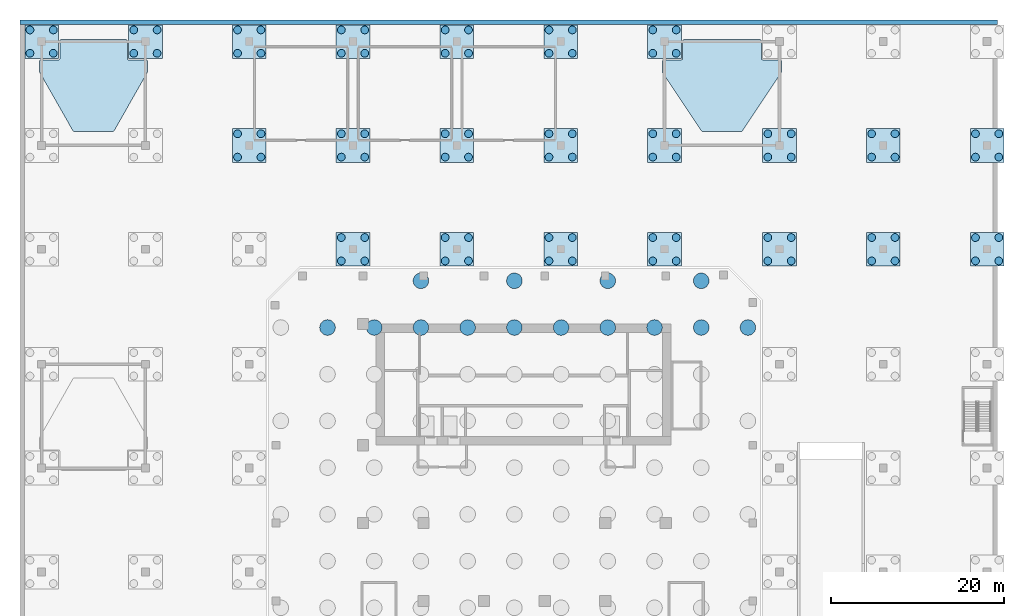
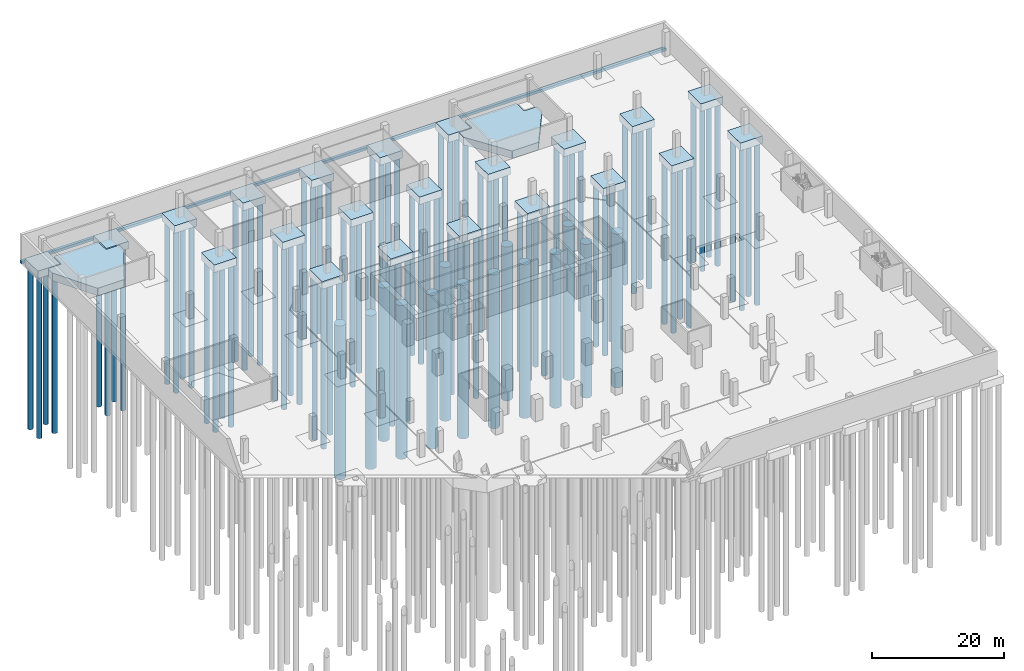
# One storey, part 3 of 15: 102 piles, 25 footings.
"""IFC4 building model written with IfcOpenShell, lengths in metres."""

from ifc_helpers import new_model, si_unit, direction, frame, origin, origin_2d, place, context, subcontext, project, spatial, polyline, rectangle, circle, outline, extrude, source, transform, mapped, material, layer, layer_set, material_profile, profile_set, type_object, element, save


model = new_model("IFC4")

# Units and contexts
model_context = context("Model", 3, precision=1e-05, world=origin(), true_north=direction((0.0, 1.0)))
body_context = subcontext(model_context, "Body", "Model", "MODEL_VIEW")
ifc_project = project(units=[si_unit("LENGTHUNIT", "METRE"), si_unit("AREAUNIT", "SQUARE_METRE"), si_unit("VOLUMEUNIT", "CUBIC_METRE"), si_unit("PLANEANGLEUNIT", "RADIAN"), si_unit("MASSUNIT", "GRAM", prefix="KILO")], contexts=[model_context])

# Site, building, storey
site_placement = place(None, origin())
site = spatial("IfcSite", under=ifc_project, at=site_placement, CompositionType="ELEMENT")
building_placement = place(site_placement, origin())
building = spatial("IfcBuilding", under=site, at=building_placement, Name="Kilnfold Tower and Market Hall", CompositionType="ELEMENT")
storey_placement = place(building_placement, frame((0.0, 0.0, -9.0)))
storey = spatial("IfcBuildingStorey", under=building, at=storey_placement, Name="B2", CompositionType="ELEMENT", Elevation=-9.0)

# Piles
ifc_material_1 = material(Name="Concrete C40", Category="concrete")
ifc_material_profile_1 = material_profile(ifc_material_1, circle(Radius=0.89990234375, at=origin_2d()), Name="RC D1800")
ifc_profile_set_1 = profile_set([ifc_material_profile_1], Name="Concrete C40")
pile_type_1 = type_object("IfcPileType", Name="BORED PILE D1800", PredefinedType="BORED", material=ifc_profile_set_1)
shared_shape_1 = source(origin(), body_context, "Body", "SweptSolid", [
    extrude(circle(Radius=0.89990234375, at=origin_2d()), origin(), (0.0, 0.0, 1.0), 28.5),
])
for number, where, z_axis, x_axis, name in (
    (1, (-21.60009765625, 21.60009765625, -2.925048828125), (0.0, 0.0, -1.0), (1.0, 0.0, 0.0), "Bored pile P13"),
    (2, (-16.199951171875, 21.60009765625, -2.925048828125), (0.0, 0.0, -1.0), (1.0, 0.0, 0.0), "Bored pile P22"),
    (3, (-10.800048828125, 21.60009765625, -2.925048828125), (0.0, 0.0, -1.0), (1.0, 0.0, 0.0), "Bored pile P32"),
    (4, (-10.800048828125, 27.0, -2.925048828125), (0.0, 0.0, -1.0), (1.0, 0.0, 0.0), "Bored pile P33"),
    (5, (-5.39990234375, 21.60009765625, -2.925048828125), (0.0, 0.0, -1.0), (1.0, 0.0, 0.0), "Bored pile P42"),
    (6, (0.0, 21.60009765625, -2.925048828125), (0.0, 0.0, -1.0), (1.0, 0.0, 0.0), "Bored pile P52"),
    (7, (0.0, 27.0, -2.925048828125), (0.0, 0.0, -1.0), (1.0, 0.0, 0.0), "Bored pile P53"),
    (8, (5.39990234375, 21.60009765625, -2.925048828125), (0.0, 0.0, -1.0), (1.0, 0.0, 0.0), "Bored pile P62"),
    (9, (10.800048828125, 21.60009765625, -2.925048828125), (0.0, 0.0, -1.0), (1.0, 0.0, 0.0), "Bored pile P72"),
    (10, (10.800048828125, 27.0, -2.925048828125), (0.0, 0.0, -1.0), (1.0, 0.0, 0.0), "Bored pile P73"),
    (11, (16.199951171875, 21.60009765625, -2.925048828125), (0.0, 0.0, -1.0), (1.0, 0.0, 0.0), "Bored pile P82"),
    (12, (21.60009765625, 21.60009765625, -2.925048828125), (0.0, 0.0, -1.0), (1.0, 0.0, 0.0), "Bored pile P92"),
    (13, (21.60009765625, 27.0, -2.925048828125), (0.0, 0.0, -1.0), (1.0, 0.0, 0.0), "Bored pile P93"),
    (14, (27.0, 21.60009765625, -2.925048828125), (0.0, 0.0, -1.0), (1.0, 0.0, 0.0), "Bored pile P97"),
):
    element("IfcPile", number, at=place(storey_placement, frame(where, z_axis=z_axis, x_axis=x_axis)), inside=storey, type_object=pile_type_1, Name=name, PredefinedType="BORED", context=body_context, shape_type="MappedRepresentation", body=[
        mapped(shared_shape_1, transform((0.0, 0.0, 0.0))),
    ])

# Footings
ifc_material_2 = material(Name="Concrete C40/50", Category="concrete")
footing_type_1 = type_object("IfcFootingType", Name="HALL PILE CAP 3900X3900X1400", PredefinedType="PILE_CAP", material=ifc_material_2)
shared_shape_2 = source(origin(), body_context, "Body", "SweptSolid", [
    extrude(rectangle(XDim=3.89990234375, YDim=3.89990234375, at=origin_2d()), origin(), (0.0, 0.0, 1.0), 1.39990234375),
])
for number, where, z_axis, x_axis, name in (
    (15, (-54.64990234375, 54.64990234375, -1.39990234375), (0.0, 0.0, 1.0), (1.0, 0.0, 0.0), "Pile cap PC9"),
    (16, (-42.64990234375, 54.64990234375, -1.39990234375), (0.0, 0.0, 1.0), (1.0, 0.0, 0.0), "Pile cap PC18"),
    (17, (-30.64990234375, 42.64990234375, -1.39990234375), (0.0, 0.0, 1.0), (1.0, 0.0, 0.0), "Pile cap PC26"),
    (18, (-30.64990234375, 54.64990234375, -1.39990234375), (0.0, 0.0, 1.0), (1.0, 0.0, 0.0), "Pile cap PC27"),
    (19, (-18.64990234375, 30.64990234375, -1.39990234375), (0.0, 0.0, 1.0), (1.0, 0.0, 0.0), "Pile cap PC30"),
    (20, (-18.64990234375, 42.64990234375, -1.39990234375), (0.0, 0.0, 1.0), (1.0, 0.0, 0.0), "Pile cap PC31"),
    (21, (-18.64990234375, 54.64990234375, -1.39990234375), (0.0, 0.0, 1.0), (1.0, 0.0, 0.0), "Pile cap PC32"),
    (22, (-6.64990234375, 30.64990234375, -1.39990234375), (0.0, 0.0, 1.0), (1.0, 0.0, 0.0), "Pile cap PC35"),
    (23, (-6.64990234375, 42.64990234375, -1.39990234375), (0.0, 0.0, 1.0), (1.0, 0.0, 0.0), "Pile cap PC36"),
    (24, (-6.64990234375, 54.64990234375, -1.39990234375), (0.0, 0.0, 1.0), (1.0, 0.0, 0.0), "Pile cap PC37"),
    (25, (5.35009765625, 30.64990234375, -1.39990234375), (0.0, 0.0, 1.0), (1.0, 0.0, 0.0), "Pile cap PC40"),
    (26, (5.35009765625, 42.64990234375, -1.39990234375), (0.0, 0.0, 1.0), (1.0, 0.0, 0.0), "Pile cap PC41"),
    (27, (5.35009765625, 54.64990234375, -1.39990234375), (0.0, 0.0, 1.0), (1.0, 0.0, 0.0), "Pile cap PC42"),
    (28, (17.35009765625, 30.64990234375, -1.39990234375), (0.0, 0.0, 1.0), (1.0, 0.0, 0.0), "Pile cap PC45"),
    (29, (17.35009765625, 42.64990234375, -1.39990234375), (0.0, 0.0, 1.0), (1.0, 0.0, 0.0), "Pile cap PC46"),
    (30, (17.35009765625, 54.64990234375, -1.39990234375), (0.0, 0.0, 1.0), (1.0, 0.0, 0.0), "Pile cap PC47"),
    (31, (30.64990234375, 30.64990234375, -1.39990234375), (0.0, 0.0, 1.0), (1.0, 0.0, 0.0), "Pile cap PC54"),
    (32, (30.64990234375, 42.64990234375, -1.39990234375), (0.0, 0.0, 1.0), (1.0, 0.0, 0.0), "Pile cap PC55"),
    (33, (42.64990234375, 30.64990234375, -1.39990234375), (0.0, 0.0, 1.0), (1.0, 0.0, 0.0), "Pile cap PC63"),
    (34, (42.64990234375, 42.64990234375, -1.39990234375), (0.0, 0.0, 1.0), (1.0, 0.0, 0.0), "Pile cap PC64"),
    (35, (54.64990234375, 30.64990234375, -1.39990234375), (0.0, 0.0, 1.0), (1.0, 0.0, 0.0), "Pile cap PC72"),
    (36, (54.64990234375, 42.64990234375, -1.39990234375), (0.0, 0.0, 1.0), (1.0, 0.0, 0.0), "Pile cap PC73"),
):
    element("IfcFooting", number, at=place(storey_placement, frame(where, z_axis=z_axis, x_axis=x_axis)), inside=storey, type_object=footing_type_1, Name=name, PredefinedType="PILE_CAP", context=body_context, shape_type="MappedRepresentation", body=[
        mapped(shared_shape_2, transform((0.0, 0.0, 0.0))),
    ])

# Piles
ifc_material_3 = material(Name="Concrete C40/50", Category="concrete")
ifc_material_profile_2 = material_profile(ifc_material_3, circle(Radius=0.449951171875, at=origin_2d()), Name="D900")
ifc_profile_set_2 = profile_set([ifc_material_profile_2], Name="Concrete C40/50")
pile_type_2 = type_object("IfcPileType", Name="HALL BORED PILE D900", PredefinedType="BORED", material=ifc_profile_set_2)
shared_shape_3 = source(origin(), body_context, "Body", "SweptSolid", [
    extrude(circle(Radius=0.449951171875, at=origin_2d()), origin(), (0.0, 0.0, 1.0), 30.0),
])
for number, where, z_axis, x_axis, name in (
    (37, (-56.0, 53.300048828125, -1.300048828125), (0.0, 0.0, -1.0), (1.0, 0.0, 0.0), "Bored pile HP33"),
    (38, (-56.0, 56.0, -1.300048828125), (0.0, 0.0, -1.0), (1.0, 0.0, 0.0), "Bored pile HP34"),
    (39, (-53.300048828125, 53.300048828125, -1.300048828125), (0.0, 0.0, -1.0), (1.0, 0.0, 0.0), "Bored pile HP35"),
    (40, (-53.300048828125, 56.0, -1.300048828125), (0.0, 0.0, -1.0), (1.0, 0.0, 0.0), "Bored pile HP36"),
    (41, (-44.0, 53.300048828125, -1.300048828125), (0.0, 0.0, -1.0), (1.0, 0.0, 0.0), "Bored pile HP69"),
    (42, (-44.0, 56.0, -1.300048828125), (0.0, 0.0, -1.0), (1.0, 0.0, 0.0), "Bored pile HP70"),
    (43, (-41.300048828125, 53.300048828125, -1.300048828125), (0.0, 0.0, -1.0), (1.0, 0.0, 0.0), "Bored pile HP71"),
    (44, (-41.300048828125, 56.0, -1.300048828125), (0.0, 0.0, -1.0), (1.0, 0.0, 0.0), "Bored pile HP72"),
    (45, (-32.0, 41.300048828125, -1.300048828125), (0.0, 0.0, -1.0), (1.0, 0.0, 0.0), "Bored pile HP101"),
    (46, (-32.0, 44.0, -1.300048828125), (0.0, 0.0, -1.0), (1.0, 0.0, 0.0), "Bored pile HP102"),
    (47, (-29.300048828125, 41.300048828125, -1.300048828125), (0.0, 0.0, -1.0), (1.0, 0.0, 0.0), "Bored pile HP103"),
    (48, (-29.300048828125, 44.0, -1.300048828125), (0.0, 0.0, -1.0), (1.0, 0.0, 0.0), "Bored pile HP104"),
    (49, (-32.0, 53.300048828125, -1.300048828125), (0.0, 0.0, -1.0), (1.0, 0.0, 0.0), "Bored pile HP105"),
    (50, (-32.0, 56.0, -1.300048828125), (0.0, 0.0, -1.0), (1.0, 0.0, 0.0), "Bored pile HP106"),
    (51, (-29.300048828125, 53.300048828125, -1.300048828125), (0.0, 0.0, -1.0), (1.0, 0.0, 0.0), "Bored pile HP107"),
    (52, (-29.300048828125, 56.0, -1.300048828125), (0.0, 0.0, -1.0), (1.0, 0.0, 0.0), "Bored pile HP108"),
    (53, (-20.0, 29.300048828125, -1.300048828125), (0.0, 0.0, -1.0), (1.0, 0.0, 0.0), "Bored pile HP117"),
    (54, (-20.0, 32.0, -1.300048828125), (0.0, 0.0, -1.0), (1.0, 0.0, 0.0), "Bored pile HP118"),
    (55, (-17.300048828125, 29.300048828125, -1.300048828125), (0.0, 0.0, -1.0), (1.0, 0.0, 0.0), "Bored pile HP119"),
    (56, (-17.300048828125, 32.0, -1.300048828125), (0.0, 0.0, -1.0), (1.0, 0.0, 0.0), "Bored pile HP120"),
    (57, (-20.0, 41.300048828125, -1.300048828125), (0.0, 0.0, -1.0), (1.0, 0.0, 0.0), "Bored pile HP121"),
    (58, (-20.0, 44.0, -1.300048828125), (0.0, 0.0, -1.0), (1.0, 0.0, 0.0), "Bored pile HP122"),
    (59, (-17.300048828125, 41.300048828125, -1.300048828125), (0.0, 0.0, -1.0), (1.0, 0.0, 0.0), "Bored pile HP123"),
    (60, (-17.300048828125, 44.0, -1.300048828125), (0.0, 0.0, -1.0), (1.0, 0.0, 0.0), "Bored pile HP124"),
    (61, (-20.0, 53.300048828125, -1.300048828125), (0.0, 0.0, -1.0), (1.0, 0.0, 0.0), "Bored pile HP125"),
    (62, (-20.0, 56.0, -1.300048828125), (0.0, 0.0, -1.0), (1.0, 0.0, 0.0), "Bored pile HP126"),
    (63, (-17.300048828125, 53.300048828125, -1.300048828125), (0.0, 0.0, -1.0), (1.0, 0.0, 0.0), "Bored pile HP127"),
    (64, (-17.300048828125, 56.0, -1.300048828125), (0.0, 0.0, -1.0), (1.0, 0.0, 0.0), "Bored pile HP128"),
    (65, (-8.0, 29.300048828125, -1.300048828125), (0.0, 0.0, -1.0), (1.0, 0.0, 0.0), "Bored pile HP137"),
    (66, (-8.0, 32.0, -1.300048828125), (0.0, 0.0, -1.0), (1.0, 0.0, 0.0), "Bored pile HP138"),
    (67, (-5.300048828125, 29.300048828125, -1.300048828125), (0.0, 0.0, -1.0), (1.0, 0.0, 0.0), "Bored pile HP139"),
    (68, (-5.300048828125, 32.0, -1.300048828125), (0.0, 0.0, -1.0), (1.0, 0.0, 0.0), "Bored pile HP140"),
    (69, (-8.0, 41.300048828125, -1.300048828125), (0.0, 0.0, -1.0), (1.0, 0.0, 0.0), "Bored pile HP141"),
    (70, (-8.0, 44.0, -1.300048828125), (0.0, 0.0, -1.0), (1.0, 0.0, 0.0), "Bored pile HP142"),
    (71, (-5.300048828125, 41.300048828125, -1.300048828125), (0.0, 0.0, -1.0), (1.0, 0.0, 0.0), "Bored pile HP143"),
    (72, (-5.300048828125, 44.0, -1.300048828125), (0.0, 0.0, -1.0), (1.0, 0.0, 0.0), "Bored pile HP144"),
    (73, (-8.0, 53.300048828125, -1.300048828125), (0.0, 0.0, -1.0), (1.0, 0.0, 0.0), "Bored pile HP145"),
    (74, (-8.0, 56.0, -1.300048828125), (0.0, 0.0, -1.0), (1.0, 0.0, 0.0), "Bored pile HP146"),
    (75, (-5.300048828125, 53.300048828125, -1.300048828125), (0.0, 0.0, -1.0), (1.0, 0.0, 0.0), "Bored pile HP147"),
    (76, (-5.300048828125, 56.0, -1.300048828125), (0.0, 0.0, -1.0), (1.0, 0.0, 0.0), "Bored pile HP148"),
    (77, (4.0, 29.300048828125, -1.300048828125), (0.0, 0.0, -1.0), (1.0, 0.0, 0.0), "Bored pile HP157"),
    (78, (4.0, 32.0, -1.300048828125), (0.0, 0.0, -1.0), (1.0, 0.0, 0.0), "Bored pile HP158"),
    (79, (6.699951171875, 29.300048828125, -1.300048828125), (0.0, 0.0, -1.0), (1.0, 0.0, 0.0), "Bored pile HP159"),
    (80, (6.699951171875, 32.0, -1.300048828125), (0.0, 0.0, -1.0), (1.0, 0.0, 0.0), "Bored pile HP160"),
    (81, (4.0, 41.300048828125, -1.300048828125), (0.0, 0.0, -1.0), (1.0, 0.0, 0.0), "Bored pile HP161"),
    (82, (4.0, 44.0, -1.300048828125), (0.0, 0.0, -1.0), (1.0, 0.0, 0.0), "Bored pile HP162"),
    (83, (6.699951171875, 41.300048828125, -1.300048828125), (0.0, 0.0, -1.0), (1.0, 0.0, 0.0), "Bored pile HP163"),
    (84, (6.699951171875, 44.0, -1.300048828125), (0.0, 0.0, -1.0), (1.0, 0.0, 0.0), "Bored pile HP164"),
    (85, (4.0, 53.300048828125, -1.300048828125), (0.0, 0.0, -1.0), (1.0, 0.0, 0.0), "Bored pile HP165"),
    (86, (4.0, 56.0, -1.300048828125), (0.0, 0.0, -1.0), (1.0, 0.0, 0.0), "Bored pile HP166"),
    (87, (6.699951171875, 53.300048828125, -1.300048828125), (0.0, 0.0, -1.0), (1.0, 0.0, 0.0), "Bored pile HP167"),
    (88, (6.699951171875, 56.0, -1.300048828125), (0.0, 0.0, -1.0), (1.0, 0.0, 0.0), "Bored pile HP168"),
    (89, (16.0, 29.300048828125, -1.300048828125), (0.0, 0.0, -1.0), (1.0, 0.0, 0.0), "Bored pile HP177"),
    (90, (16.0, 32.0, -1.300048828125), (0.0, 0.0, -1.0), (1.0, 0.0, 0.0), "Bored pile HP178"),
    (91, (18.699951171875, 29.300048828125, -1.300048828125), (0.0, 0.0, -1.0), (1.0, 0.0, 0.0), "Bored pile HP179"),
    (92, (18.699951171875, 32.0, -1.300048828125), (0.0, 0.0, -1.0), (1.0, 0.0, 0.0), "Bored pile HP180"),
    (93, (16.0, 41.300048828125, -1.300048828125), (0.0, 0.0, -1.0), (1.0, 0.0, 0.0), "Bored pile HP181"),
    (94, (16.0, 44.0, -1.300048828125), (0.0, 0.0, -1.0), (1.0, 0.0, 0.0), "Bored pile HP182"),
    (95, (18.699951171875, 41.300048828125, -1.300048828125), (0.0, 0.0, -1.0), (1.0, 0.0, 0.0), "Bored pile HP183"),
    (96, (18.699951171875, 44.0, -1.300048828125), (0.0, 0.0, -1.0), (1.0, 0.0, 0.0), "Bored pile HP184"),
    (97, (16.0, 53.300048828125, -1.300048828125), (0.0, 0.0, -1.0), (1.0, 0.0, 0.0), "Bored pile HP185"),
    (98, (16.0, 56.0, -1.300048828125), (0.0, 0.0, -1.0), (1.0, 0.0, 0.0), "Bored pile HP186"),
    (99, (18.699951171875, 53.300048828125, -1.300048828125), (0.0, 0.0, -1.0), (1.0, 0.0, 0.0), "Bored pile HP187"),
    (100, (18.699951171875, 56.0, -1.300048828125), (0.0, 0.0, -1.0), (1.0, 0.0, 0.0), "Bored pile HP188"),
    (101, (29.300048828125, 29.300048828125, -1.300048828125), (0.0, 0.0, -1.0), (1.0, 0.0, 0.0), "Bored pile HP213"),
    (102, (29.300048828125, 32.0, -1.300048828125), (0.0, 0.0, -1.0), (1.0, 0.0, 0.0), "Bored pile HP214"),
    (103, (32.0, 29.300048828125, -1.300048828125), (0.0, 0.0, -1.0), (1.0, 0.0, 0.0), "Bored pile HP215"),
    (104, (32.0, 32.0, -1.300048828125), (0.0, 0.0, -1.0), (1.0, 0.0, 0.0), "Bored pile HP216"),
    (105, (29.300048828125, 41.300048828125, -1.300048828125), (0.0, 0.0, -1.0), (1.0, 0.0, 0.0), "Bored pile HP217"),
    (106, (29.300048828125, 44.0, -1.300048828125), (0.0, 0.0, -1.0), (1.0, 0.0, 0.0), "Bored pile HP218"),
    (107, (32.0, 41.300048828125, -1.300048828125), (0.0, 0.0, -1.0), (1.0, 0.0, 0.0), "Bored pile HP219"),
    (108, (32.0, 44.0, -1.300048828125), (0.0, 0.0, -1.0), (1.0, 0.0, 0.0), "Bored pile HP220"),
    (109, (41.300048828125, 29.300048828125, -1.300048828125), (0.0, 0.0, -1.0), (1.0, 0.0, 0.0), "Bored pile HP249"),
    (110, (41.300048828125, 32.0, -1.300048828125), (0.0, 0.0, -1.0), (1.0, 0.0, 0.0), "Bored pile HP250"),
    (111, (44.0, 29.300048828125, -1.300048828125), (0.0, 0.0, -1.0), (1.0, 0.0, 0.0), "Bored pile HP251"),
    (112, (44.0, 32.0, -1.300048828125), (0.0, 0.0, -1.0), (1.0, 0.0, 0.0), "Bored pile HP252"),
    (113, (41.300048828125, 41.300048828125, -1.300048828125), (0.0, 0.0, -1.0), (1.0, 0.0, 0.0), "Bored pile HP253"),
    (114, (41.300048828125, 44.0, -1.300048828125), (0.0, 0.0, -1.0), (1.0, 0.0, 0.0), "Bored pile HP254"),
    (115, (44.0, 41.300048828125, -1.300048828125), (0.0, 0.0, -1.0), (1.0, 0.0, 0.0), "Bored pile HP255"),
    (116, (44.0, 44.0, -1.300048828125), (0.0, 0.0, -1.0), (1.0, 0.0, 0.0), "Bored pile HP256"),
    (117, (53.300048828125, 29.300048828125, -1.300048828125), (0.0, 0.0, -1.0), (1.0, 0.0, 0.0), "Bored pile HP285"),
    (118, (53.300048828125, 32.0, -1.300048828125), (0.0, 0.0, -1.0), (1.0, 0.0, 0.0), "Bored pile HP286"),
    (119, (56.0, 29.300048828125, -1.300048828125), (0.0, 0.0, -1.0), (1.0, 0.0, 0.0), "Bored pile HP287"),
    (120, (56.0, 32.0, -1.300048828125), (0.0, 0.0, -1.0), (1.0, 0.0, 0.0), "Bored pile HP288"),
    (121, (53.300048828125, 41.300048828125, -1.300048828125), (0.0, 0.0, -1.0), (1.0, 0.0, 0.0), "Bored pile HP289"),
    (122, (53.300048828125, 44.0, -1.300048828125), (0.0, 0.0, -1.0), (1.0, 0.0, 0.0), "Bored pile HP290"),
    (123, (56.0, 41.300048828125, -1.300048828125), (0.0, 0.0, -1.0), (1.0, 0.0, 0.0), "Bored pile HP291"),
    (124, (56.0, 44.0, -1.300048828125), (0.0, 0.0, -1.0), (1.0, 0.0, 0.0), "Bored pile HP292"),
):
    element("IfcPile", number, at=place(storey_placement, frame(where, z_axis=z_axis, x_axis=x_axis)), inside=storey, type_object=pile_type_2, Name=name, PredefinedType="BORED", context=body_context, shape_type="MappedRepresentation", body=[
        mapped(shared_shape_3, transform((0.0, 0.0, 0.0))),
    ])

# Footings
ifc_material_4 = material(Name="Concrete C40/50", Category="concrete")
ifc_layer = layer(ifc_material_4, 1.39990234375)
ifc_layer_set = layer_set([ifc_layer], Name="Concrete C40/50")
footing_type_2 = type_object("IfcFootingType", Name="HALL CORE RAFT 1400", PredefinedType="PAD_FOOTING", material=ifc_layer_set)
shared_shape_4 = source(origin(), body_context, "Body", "SweptSolid", [
    extrude(outline(polyline([(-50.866455078125, 44.25), (-46.43359375, 44.25), (-46.41455078125, 44.2509765625), (-46.3955078125, 44.253662109375), (-46.376953125, 44.25830078125), (-46.35888671875, 44.264404296875), (-46.34130859375, 44.2724609375), (-46.32470703125, 44.2822265625), (-46.309326171875, 44.293212890625), (-46.294921875, 44.305908203125), (-46.28173828125, 44.31982421875), (-46.27001953125, 44.3349609375), (-46.259765625, 44.351318359375), (-42.426025390625, 51.098388671875), (-42.416748046875, 51.11669921875), (-42.409423828125, 51.135986328125), (-42.404296875, 51.156005859375), (-42.401123046875, 51.176513671875), (-42.39990234375, 51.197021484375), (-42.39990234375, 52.35009765625), (-42.40087890625, 52.36962890625), (-42.40380859375, 52.388916015625), (-42.40869140625, 52.408203125), (-42.415283203125, 52.426513671875), (-42.423583984375, 52.4443359375), (-42.43359375, 52.461181640625), (-42.4453125, 52.476806640625), (-42.45849609375, 52.491455078125), (-42.47314453125, 52.504638671875), (-42.489013671875, 52.516357421875), (-42.505615234375, 52.5263671875), (-42.5234375, 52.534912109375), (-42.5419921875, 52.54150390625), (-42.56103515625, 52.546142578125), (-42.580322265625, 52.549072265625), (-42.60009765625, 52.550048828125), (-44.597412109375, 52.550048828125), (-44.6025390625, 52.550048828125), (-44.60986328125, 52.550537109375), (-44.61962890625, 52.551513671875), (-44.62451171875, 52.55224609375), (-44.634033203125, 52.55419921875), (-44.638916015625, 52.555419921875), (-44.648193359375, 52.55810546875), (-44.65283203125, 52.559814453125), (-44.661865234375, 52.5634765625), (-44.666259765625, 52.565673828125), (-44.6748046875, 52.5703125), (-44.67919921875, 52.57275390625), (-44.687255859375, 52.578125), (-44.691162109375, 52.5810546875), (-44.69873046875, 52.58740234375), (-44.702392578125, 52.590576171875), (-44.70947265625, 52.59765625), (-44.712646484375, 52.601318359375), (-44.718994140625, 52.60888671875), (-44.7216796875, 52.61279296875), (-44.727294921875, 52.620849609375), (-44.729736328125, 52.625), (-44.734375, 52.6337890625), (-44.736572265625, 52.63818359375), (-44.740234375, 52.647216796875), (-44.741943359375, 52.65185546875), (-44.74462890625, 52.6611328125), (-44.745849609375, 52.666015625), (-44.747802734375, 52.675537109375), (-44.74853515625, 52.680419921875), (-44.74951171875, 52.690185546875), (-44.75, 52.697509765625), (-44.75, 52.702392578125), (-44.75, 54.699951171875), (-44.7509765625, 54.719482421875), (-44.75390625, 54.739013671875), (-44.758544921875, 54.758056640625), (-44.76513671875, 54.776611328125), (-44.773681640625, 54.794189453125), (-44.78369140625, 54.81103515625), (-44.79541015625, 54.826904296875), (-44.80859375, 54.84130859375), (-44.822998046875, 54.8544921875), (-44.8388671875, 54.8662109375), (-44.855712890625, 54.87646484375), (-44.87353515625, 54.884765625), (-44.891845703125, 54.891357421875), (-44.910888671875, 54.896240234375), (-44.930419921875, 54.89892578125), (-44.949951171875, 54.89990234375), (-52.35009765625, 54.89990234375), (-52.36962890625, 54.89892578125), (-52.388916015625, 54.896240234375), (-52.408203125, 54.891357421875), (-52.426513671875, 54.884765625), (-52.4443359375, 54.87646484375), (-52.461181640625, 54.8662109375), (-52.476806640625, 54.8544921875), (-52.491455078125, 54.84130859375), (-52.504638671875, 54.826904296875), (-52.516357421875, 54.81103515625), (-52.5263671875, 54.794189453125), (-52.534912109375, 54.776611328125), (-52.54150390625, 54.758056640625), (-52.546142578125, 54.739013671875), (-52.549072265625, 54.719482421875), (-52.550048828125, 54.699951171875), (-52.550048828125, 52.702392578125), (-52.550048828125, 52.697509765625), (-52.550537109375, 52.690185546875), (-52.551513671875, 52.680419921875), (-52.55224609375, 52.675537109375), (-52.55419921875, 52.666015625), (-52.555419921875, 52.6611328125), (-52.55810546875, 52.65185546875), (-52.559814453125, 52.647216796875), (-52.5634765625, 52.63818359375), (-52.565673828125, 52.6337890625), (-52.5703125, 52.625), (-52.57275390625, 52.620849609375), (-52.578125, 52.61279296875), (-52.5810546875, 52.60888671875), (-52.58740234375, 52.601318359375), (-52.590576171875, 52.59765625), (-52.59765625, 52.590576171875), (-52.601318359375, 52.58740234375), (-52.60888671875, 52.5810546875), (-52.61279296875, 52.578125), (-52.620849609375, 52.57275390625), (-52.625, 52.5703125), (-52.6337890625, 52.565673828125), (-52.63818359375, 52.5634765625), (-52.647216796875, 52.559814453125), (-52.65185546875, 52.55810546875), (-52.6611328125, 52.555419921875), (-52.666015625, 52.55419921875), (-52.675537109375, 52.55224609375), (-52.680419921875, 52.551513671875), (-52.690185546875, 52.550537109375), (-52.697509765625, 52.550048828125), (-52.702392578125, 52.550048828125), (-54.699951171875, 52.550048828125), (-54.719482421875, 52.549072265625), (-54.739013671875, 52.546142578125), (-54.758056640625, 52.54150390625), (-54.776611328125, 52.534912109375), (-54.794189453125, 52.5263671875), (-54.81103515625, 52.516357421875), (-54.826904296875, 52.504638671875), (-54.84130859375, 52.491455078125), (-54.8544921875, 52.476806640625), (-54.8662109375, 52.461181640625), (-54.87646484375, 52.4443359375), (-54.884765625, 52.426513671875), (-54.891357421875, 52.408203125), (-54.896240234375, 52.388916015625), (-54.89892578125, 52.36962890625), (-54.89990234375, 52.35009765625), (-54.89990234375, 51.197021484375), (-54.89892578125, 51.176513671875), (-54.895751953125, 51.156005859375), (-54.890380859375, 51.135986328125), (-54.88330078125, 51.11669921875), (-54.873779296875, 51.098388671875), (-51.040283203125, 44.351318359375), (-51.030029296875, 44.3349609375), (-51.018310546875, 44.31982421875), (-51.005126953125, 44.305908203125), (-50.99072265625, 44.293212890625), (-50.97509765625, 44.2822265625), (-50.95849609375, 44.2724609375), (-50.941162109375, 44.264404296875), (-50.923095703125, 44.25830078125), (-50.904541015625, 44.253662109375), (-50.885498046875, 44.2509765625), (-50.866455078125, 44.25)])), origin(), (0.0, 0.0, 1.0), 1.39990234375),
])
footing_1_placement = place(storey_placement, frame((0.0, 0.0, -1.39990234375)))
element("IfcFooting", 125, at=footing_1_placement, inside=storey, type_object=footing_type_2, Name="Core raft MH2.2", PredefinedType="PAD_FOOTING", context=body_context, shape_type="MappedRepresentation", body=[
    mapped(shared_shape_4, transform((0.0, 0.0, 0.0))),
])
shared_shape_5 = source(origin(), body_context, "Body", "SweptSolid", [
    extrude(outline(polyline([(21.79296875, 44.25), (26.20703125, 44.25), (26.226806640625, 44.2509765625), (26.24609375, 44.25390625), (26.26513671875, 44.258544921875), (26.28369140625, 44.265380859375), (26.301513671875, 44.273681640625), (26.318359375, 44.28369140625), (26.333984375, 44.29541015625), (26.3486328125, 44.30859375), (26.36181640625, 44.3232421875), (26.373291015625, 44.339111328125), (30.866455078125, 51.07861328125), (30.87646484375, 51.09521484375), (30.884765625, 51.113037109375), (30.891357421875, 51.131591796875), (30.896240234375, 51.150390625), (30.89892578125, 51.169921875), (30.89990234375, 51.189453125), (30.89990234375, 52.35009765625), (30.89892578125, 52.36962890625), (30.896240234375, 52.388916015625), (30.891357421875, 52.408203125), (30.884765625, 52.426513671875), (30.87646484375, 52.4443359375), (30.8662109375, 52.461181640625), (30.8544921875, 52.476806640625), (30.84130859375, 52.491455078125), (30.826904296875, 52.504638671875), (30.81103515625, 52.516357421875), (30.794189453125, 52.5263671875), (30.776611328125, 52.534912109375), (30.758056640625, 52.54150390625), (30.739013671875, 52.546142578125), (30.719482421875, 52.549072265625), (30.699951171875, 52.550048828125), (28.702392578125, 52.550048828125), (28.697509765625, 52.550048828125), (28.690185546875, 52.550537109375), (28.680419921875, 52.551513671875), (28.675537109375, 52.55224609375), (28.666015625, 52.55419921875), (28.6611328125, 52.555419921875), (28.65185546875, 52.55810546875), (28.647216796875, 52.559814453125), (28.63818359375, 52.5634765625), (28.6337890625, 52.565673828125), (28.625, 52.5703125), (28.620849609375, 52.57275390625), (28.61279296875, 52.578125), (28.60888671875, 52.5810546875), (28.601318359375, 52.58740234375), (28.59765625, 52.590576171875), (28.590576171875, 52.59765625), (28.58740234375, 52.601318359375), (28.5810546875, 52.60888671875), (28.578125, 52.61279296875), (28.57275390625, 52.620849609375), (28.5703125, 52.625), (28.565673828125, 52.6337890625), (28.5634765625, 52.63818359375), (28.559814453125, 52.647216796875), (28.55810546875, 52.65185546875), (28.555419921875, 52.6611328125), (28.55419921875, 52.666015625), (28.55224609375, 52.675537109375), (28.551513671875, 52.680419921875), (28.550537109375, 52.690185546875), (28.550048828125, 52.697509765625), (28.550048828125, 52.702392578125), (28.550048828125, 54.699951171875), (28.549072265625, 54.719482421875), (28.546142578125, 54.739013671875), (28.54150390625, 54.758056640625), (28.534912109375, 54.776611328125), (28.5263671875, 54.794189453125), (28.516357421875, 54.81103515625), (28.504638671875, 54.826904296875), (28.491455078125, 54.84130859375), (28.476806640625, 54.8544921875), (28.461181640625, 54.8662109375), (28.4443359375, 54.87646484375), (28.426513671875, 54.884765625), (28.408203125, 54.891357421875), (28.388916015625, 54.896240234375), (28.36962890625, 54.89892578125), (28.35009765625, 54.89990234375), (19.64990234375, 54.89990234375), (19.63037109375, 54.89892578125), (19.611083984375, 54.896240234375), (19.591796875, 54.891357421875), (19.573486328125, 54.884765625), (19.5556640625, 54.87646484375), (19.538818359375, 54.8662109375), (19.523193359375, 54.8544921875), (19.508544921875, 54.84130859375), (19.495361328125, 54.826904296875), (19.483642578125, 54.81103515625), (19.4736328125, 54.794189453125), (19.465087890625, 54.776611328125), (19.45849609375, 54.758056640625), (19.453857421875, 54.739013671875), (19.450927734375, 54.719482421875), (19.449951171875, 54.699951171875), (19.449951171875, 52.702392578125), (19.449951171875, 52.697509765625), (19.449462890625, 52.690185546875), (19.448486328125, 52.680419921875), (19.44775390625, 52.675537109375), (19.44580078125, 52.666015625), (19.444580078125, 52.6611328125), (19.44189453125, 52.65185546875), (19.440185546875, 52.647216796875), (19.4365234375, 52.63818359375), (19.434326171875, 52.6337890625), (19.4296875, 52.625), (19.42724609375, 52.620849609375), (19.421875, 52.61279296875), (19.4189453125, 52.60888671875), (19.41259765625, 52.601318359375), (19.409423828125, 52.59765625), (19.40234375, 52.590576171875), (19.398681640625, 52.58740234375), (19.39111328125, 52.5810546875), (19.38720703125, 52.578125), (19.379150390625, 52.57275390625), (19.375, 52.5703125), (19.3662109375, 52.565673828125), (19.36181640625, 52.5634765625), (19.352783203125, 52.559814453125), (19.34814453125, 52.55810546875), (19.3388671875, 52.555419921875), (19.333984375, 52.55419921875), (19.324462890625, 52.55224609375), (19.319580078125, 52.551513671875), (19.309814453125, 52.550537109375), (19.302490234375, 52.550048828125), (19.297607421875, 52.550048828125), (17.300048828125, 52.550048828125), (17.280517578125, 52.549072265625), (17.260986328125, 52.546142578125), (17.241943359375, 52.54150390625), (17.223388671875, 52.534912109375), (17.205810546875, 52.5263671875), (17.18896484375, 52.516357421875), (17.173095703125, 52.504638671875), (17.15869140625, 52.491455078125), (17.1455078125, 52.476806640625), (17.1337890625, 52.461181640625), (17.12353515625, 52.4443359375), (17.115234375, 52.426513671875), (17.108642578125, 52.408203125), (17.103759765625, 52.388916015625), (17.10107421875, 52.36962890625), (17.10009765625, 52.35009765625), (17.10009765625, 51.189453125), (17.10107421875, 51.169921875), (17.103759765625, 51.150390625), (17.108642578125, 51.131591796875), (17.115234375, 51.113037109375), (17.12353515625, 51.09521484375), (17.133544921875, 51.07861328125), (21.626708984375, 44.339111328125), (21.63818359375, 44.3232421875), (21.6513671875, 44.30859375), (21.666015625, 44.29541015625), (21.681640625, 44.28369140625), (21.698486328125, 44.273681640625), (21.71630859375, 44.265380859375), (21.73486328125, 44.258544921875), (21.75390625, 44.25390625), (21.773193359375, 44.2509765625), (21.79296875, 44.25)])), origin(), (0.0, 0.0, 1.0), 1.39990234375),
])
footing_2_placement = place(storey_placement, frame((0.0, 0.0, -1.39990234375)))
element("IfcFooting", 126, at=footing_2_placement, inside=storey, type_object=footing_type_2, Name="Core raft MH3.3", PredefinedType="PAD_FOOTING", context=body_context, shape_type="MappedRepresentation", body=[
    mapped(shared_shape_5, transform((0.0, 0.0, 0.0))),
])
ifc_material_5 = material(Name="Concrete C40/50", Category="concrete")
footing_type_3 = type_object("IfcFootingType", Name="RETAINING WALL FOOTING 500", PredefinedType="STRIP_FOOTING", material=ifc_material_5)
shared_shape_6 = source(origin(), body_context, "Body", "SweptSolid", [
    extrude(outline(polyline([(-57.14990234375, 56.64990234375), (55.85009765625, 56.64990234375), (55.85009765625, 57.14990234375), (-57.14990234375, 57.14990234375), (-57.14990234375, 56.64990234375)])), origin(), (0.0, 0.0, 1.0), 0.5),
])
footing_3_placement = place(storey_placement, frame((0.0, 0.0, -0.89990234375)))
element("IfcFooting", 127, at=footing_3_placement, inside=storey, type_object=footing_type_3, Name="Retaining wall footing north", PredefinedType="STRIP_FOOTING", context=body_context, shape_type="MappedRepresentation", body=[
    mapped(shared_shape_6, transform((0.0, 0.0, 0.0))),
])

save(model, "model.ifc")
